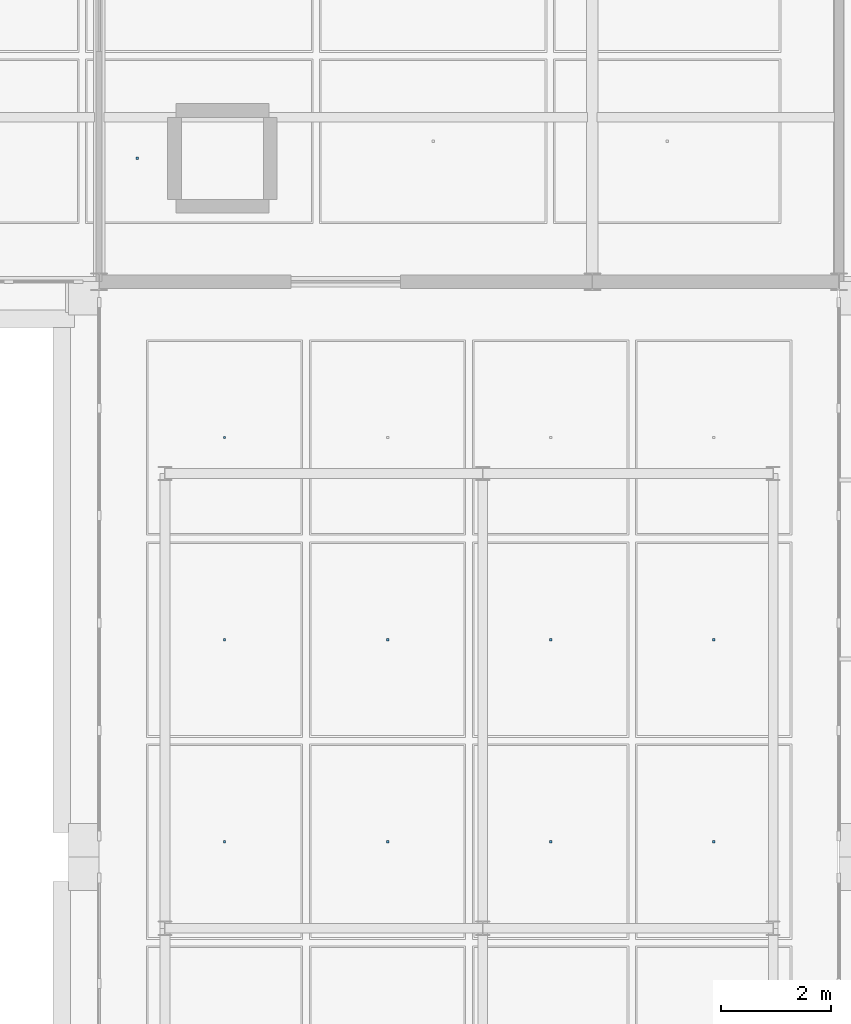
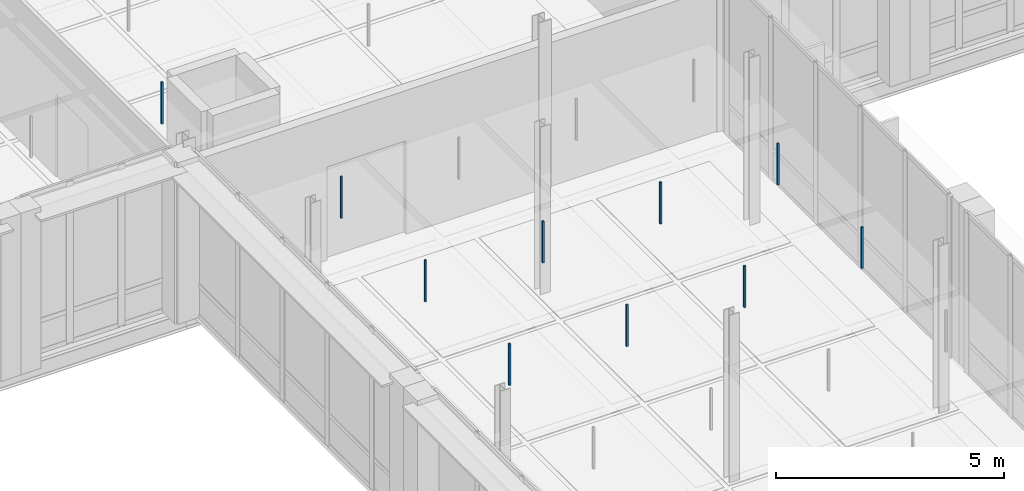
# One storey, part 97 of 130: 10 discrete accessories.
"""IFC4 building model written with IfcOpenShell, lengths in metres."""

from ifc_helpers import new_model, si_unit, direction, frame, origin, origin_2d, place, context, subcontext, project, spatial, rectangle, extrude, material, type_object, element, save


model = new_model("IFC4")

# Units and contexts
model_context = context("Model", 3, precision=1e-05, world=origin(), true_north=direction((0.0, 1.0)))
body_context = subcontext(model_context, "Body", "Model", "MODEL_VIEW")
ifc_project = project(units=[si_unit("LENGTHUNIT", "METRE"), si_unit("AREAUNIT", "SQUARE_METRE"), si_unit("VOLUMEUNIT", "CUBIC_METRE"), si_unit("PLANEANGLEUNIT", "RADIAN"), si_unit("MASSUNIT", "GRAM", prefix="KILO"), si_unit("THERMODYNAMICTEMPERATUREUNIT", "KELVIN"), si_unit("POWERUNIT", "WATT")], contexts=[model_context])

# Site, building, storey
site_placement = place(None, origin())
site = spatial("IfcSite", under=ifc_project, at=site_placement, CompositionType="ELEMENT")
building_placement = place(site_placement, origin())
building = spatial("IfcBuilding", under=site, at=building_placement, Name="Tallowbark Science Centre", CompositionType="ELEMENT")
storey_placement = place(building_placement, frame((0.0, 0.0, 5.39990234375)))
storey = spatial("IfcBuildingStorey", under=building, at=storey_placement, Name="L01", CompositionType="ELEMENT", Elevation=5.39990234375)

# Discrete accessories
ifc_material = material(Name="Galvanised Steel Grade C350L0 (350 MPa)", Category="steel")
discrete_accessory_type = type_object("IfcDiscreteAccessoryType", Name="ACC-CLG-HNG", PredefinedType="BRACKET", material=ifc_material)
for number, where, z_axis, x_axis, name in (
    (1, (101.28759765625, 61.78125, 3.20947265625), (0.0, 0.0, 1.0), (1.0, 0.0, 0.0), "Ceiling Hanger Bracket L01-568"),
    (2, (101.28759765625, 65.46875, 3.20947265625), (0.0, 0.0, 1.0), (1.0, 0.0, 0.0), "Ceiling Hanger Bracket L01-569"),
    (3, (101.28759765625, 69.15625, 3.20947265625), (0.0, 0.0, 1.0), (1.0, 0.0, 0.0), "Ceiling Hanger Bracket L01-570"),
    (4, (104.262451171875, 61.78125, 3.20947265625), (0.0, 0.0, 1.0), (1.0, 0.0, 0.0), "Ceiling Hanger Bracket L01-576"),
    (5, (104.262451171875, 65.46875, 3.20947265625), (0.0, 0.0, 1.0), (1.0, 0.0, 0.0), "Ceiling Hanger Bracket L01-577"),
    (6, (107.237548828125, 61.78125, 3.20947265625), (0.0, 0.0, 1.0), (1.0, 0.0, 0.0), "Ceiling Hanger Bracket L01-584"),
    (7, (107.237548828125, 65.46875, 3.20947265625), (0.0, 0.0, 1.0), (1.0, 0.0, 0.0), "Ceiling Hanger Bracket L01-585"),
    (8, (110.21240234375, 61.78125, 3.20947265625), (0.0, 0.0, 1.0), (1.0, 0.0, 0.0), "Ceiling Hanger Bracket L01-592"),
    (9, (110.21240234375, 65.46875, 3.20947265625), (0.0, 0.0, 1.0), (1.0, 0.0, 0.0), "Ceiling Hanger Bracket L01-593"),
):
    element("IfcDiscreteAccessory", number, at=place(storey_placement, frame(where, z_axis=z_axis, x_axis=x_axis)), inside=storey, type_object=discrete_accessory_type, Name=name, PredefinedType="BRACKET", context=body_context, shape_type="SweptSolid", body=[
        extrude(rectangle(XDim=0.044921875, YDim=0.044921875, at=origin_2d()), origin(), (0.0, 0.0, 1.0), 1.113525390625),
    ])
discrete_accessory_placement = place(storey_placement, frame((99.691162109375, 74.25, 3.205078125), z_axis=(0.0, 0.0, 1.0), x_axis=(1.0, 0.0, 0.0)))
element("IfcDiscreteAccessory", 10, at=discrete_accessory_placement, inside=storey, type_object=discrete_accessory_type, Name="Ceiling Hanger Bracket L01-663", PredefinedType="BRACKET", context=body_context, shape_type="SweptSolid", body=[
    extrude(rectangle(XDim=0.044921875, YDim=0.044921875, at=origin_2d()), origin(), (0.0, 0.0, 1.0), 1.117919921875),
])

save(model, "model.ifc")
